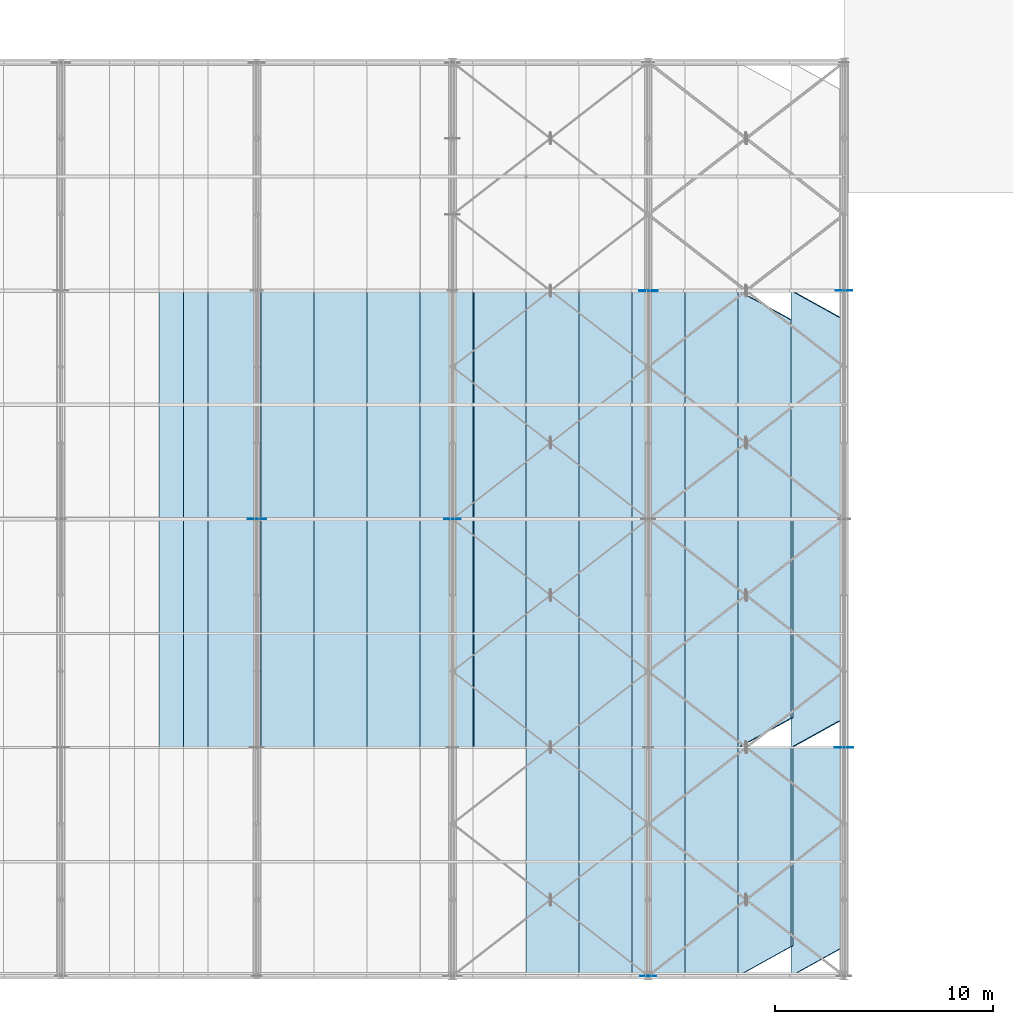
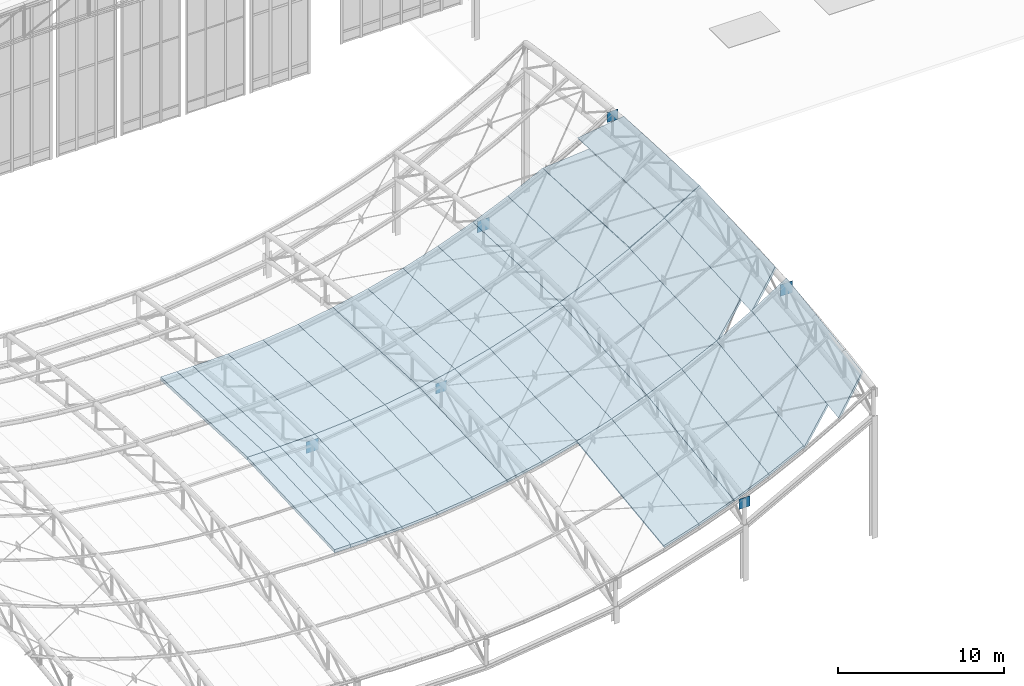
# One storey, part 218 of 262: 34 slabs, 6 plates.
"""IFC4 building model written with IfcOpenShell, lengths in metres."""

import ifcopenshell
import ifcopenshell.guid

model = None  # the IFC model being written
_history = None  # IfcOwnerHistory: only IFC2X3 demands one
_inside = {}  # id of a spatial element -> (the spatial element, [elements in it])
_under = {}  # id of a project, library or spatial element -> (it, [spatial elements below it])
_declared = {}  # id of a project -> (the project, [libraries it declares])
_typed = {}  # id of a type object -> (the type object, [elements of that type])
_made_of = {}  # id of a material, layer set ... -> (it, [elements and type objects made of it])


def new_model(schema):
    """Start an empty IFC model of exactly this schema.

    Asked for "IFC4X3", IfcOpenShell would pick the latest addendum, in which some entities
    have other attributes; the version numbers below select the first issue.
    IFC2X3 requires an IfcOwnerHistory on every rooted entity: one is made here for all.
    """
    global model, _history
    if schema == "IFC4X3":
        model = ifcopenshell.file(schema_version=(4, 3, 0, 0))
    else:
        model = ifcopenshell.file(schema=schema)
    _inside.clear()
    _under.clear()
    _declared.clear()
    _typed.clear()
    _made_of.clear()
    _history = None
    if model.schema == "IFC2X3":
        org = make("IfcOrganization", Name="unknown")
        user = make(
            "IfcPersonAndOrganization",
            ThePerson=make("IfcPerson", FamilyName="unknown"),
            TheOrganization=org,
        )
        app = make(
            "IfcApplication",
            ApplicationDeveloper=org,
            Version="unknown",
            ApplicationFullName="unknown",
            ApplicationIdentifier="unknown",
        )
        _history = make(
            "IfcOwnerHistory",
            OwningUser=user,
            OwningApplication=app,
            ChangeAction="ADDED",
            CreationDate=0,
        )
    return model


def make(cls, **values):
    """One entity of the class cls with the attributes given. An attribute that is None is left unset."""
    return model.create_entity(
        cls, **{name: value for name, value in values.items() if value is not None}
    )


def rooted(cls, **values):
    """An entity with a GlobalId (a new one), such as an element, a storey or a relation."""
    return make(cls, GlobalId=ifcopenshell.guid.new(), OwnerHistory=_history, **values)


def si_unit(unit_type, name, prefix=None):
    """IfcSIUnit, for example si_unit("LENGTHUNIT", "METRE", prefix="MILLI")."""
    return make("IfcSIUnit", UnitType=unit_type, Prefix=prefix, Name=name)


def derived_unit(unit_type, elements):
    """IfcDerivedUnit: a product of units, each with its exponent."""
    return make(
        "IfcDerivedUnit",
        Elements=[
            make("IfcDerivedUnitElement", Unit=unit, Exponent=power)
            for unit, power in elements
        ],
        UnitType=unit_type,
    )


def assignment(units):
    """IfcUnitAssignment: the units of a project."""
    return None if units is None else make("IfcUnitAssignment", Units=units)


def point(xyz):
    """IfcCartesianPoint."""
    return None if xyz is None else make("IfcCartesianPoint", Coordinates=xyz)


def direction(xyz):
    """IfcDirection."""
    return None if xyz is None else make("IfcDirection", DirectionRatios=xyz)


def frame(location, z_axis=None, x_axis=None):
    """IfcAxis2Placement3D, a coordinate frame: its origin and axes. An axis left out is left unset."""
    return make(
        "IfcAxis2Placement3D",
        Location=point(location),
        Axis=direction(z_axis),
        RefDirection=direction(x_axis),
    )


def frame_2d(location, x_axis=None):
    """IfcAxis2Placement2D, a coordinate frame in the plane: its origin and x axis."""
    return make(
        "IfcAxis2Placement2D", Location=point(location), RefDirection=direction(x_axis)
    )


def origin():
    """The frame at (0, 0, 0) with its axes left unset."""
    return frame((0.0, 0.0, 0.0))


def origin_2d():
    """The frame at (0, 0) in the plane with its x axis left unset."""
    return frame_2d((0.0, 0.0))


def place(relative_to, where):
    """IfcLocalPlacement: puts the frame where relative to a parent placement (None: the world)."""
    return make(
        "IfcLocalPlacement", PlacementRelTo=relative_to, RelativePlacement=where
    )


def context(
    kind, dimensions, precision=None, world=None, true_north=None, identifier=None
):
    """IfcGeometricRepresentationContext, for example the 3D "Model" context."""
    return make(
        "IfcGeometricRepresentationContext",
        ContextIdentifier=identifier,
        ContextType=kind,
        CoordinateSpaceDimension=dimensions,
        Precision=precision,
        WorldCoordinateSystem=world,
        TrueNorth=true_north,
    )


def subcontext(parent, identifier, kind, view, scale=None):
    """IfcGeometricRepresentationSubContext, for example "Body" below "Model"."""
    return make(
        "IfcGeometricRepresentationSubContext",
        ContextIdentifier=identifier,
        ContextType=kind,
        ParentContext=parent,
        TargetScale=scale,
        TargetView=view,
    )


def project(units=None, contexts=None):
    """IfcProject with its units and contexts."""
    return rooted(
        "IfcProject",
        Name="project",
        RepresentationContexts=contexts,
        UnitsInContext=assignment(units),
    )


def spatial(cls, under=None, at=None, **own):
    """A site, building, storey or space (cls), placed at a placement, below another one or the project."""
    s = rooted(cls, ObjectPlacement=at, **own)
    if under is not None:
        _under.setdefault(under.id(), (under, []))[1].append(s)
    return s


def polyline(points):
    """IfcPolyline through the points."""
    return make("IfcPolyline", Points=[point(p) for p in points])


def profile(cls, at=None, kind="AREA", **sizes):
    """A parametric profile (cls). Its sizes go by their IFC names, for example OverallWidth=200.0."""
    return make(cls, ProfileType=kind, Position=at, **sizes)


def rectangle(**sizes):
    """IfcRectangleProfileDef."""
    return profile("IfcRectangleProfileDef", **sizes)


def outline(outer, holes=None, kind="AREA"):
    """IfcArbitraryClosedProfileDef: a profile drawn as a closed curve; with holes, ...WithVoids."""
    if holes is None:
        return make("IfcArbitraryClosedProfileDef", ProfileType=kind, OuterCurve=outer)
    return make(
        "IfcArbitraryProfileDefWithVoids",
        ProfileType=kind,
        OuterCurve=outer,
        InnerCurves=holes,
    )


def extrude(swept, where, along, depth):
    """IfcExtrudedAreaSolid: the profile swept, set in the frame where, extruded along a direction by depth."""
    return make(
        "IfcExtrudedAreaSolid",
        SweptArea=swept,
        Position=where,
        ExtrudedDirection=direction(along),
        Depth=depth,
    )


def shape(context_of_items, identifier, shape_type, items):
    """IfcShapeRepresentation: the items that make up one representation, for example the "Body"."""
    return make(
        "IfcShapeRepresentation",
        ContextOfItems=context_of_items,
        RepresentationIdentifier=identifier,
        RepresentationType=shape_type,
        Items=items,
    )


def material(Name=None, Category=None):
    """IfcMaterial."""
    return make("IfcMaterial", Name=Name, Category=Category)


def layer(
    of_material, thickness, ventilated=None, Name=None, Category=None, Priority=None
):
    """IfcMaterialLayer: one layer of a wall or slab, of a material (None: an air gap)."""
    return make(
        "IfcMaterialLayer",
        Material=of_material,
        LayerThickness=thickness,
        IsVentilated=ventilated,
        Name=Name,
        Category=Category,
        Priority=Priority,
    )


def layer_set(layers, Name=None):
    """IfcMaterialLayerSet."""
    return make("IfcMaterialLayerSet", MaterialLayers=layers, LayerSetName=Name)


def made_of(thing, what):
    """Note that an element or type object is made of a material, layer set ...; save() writes the relation."""
    if what is not None:
        _made_of.setdefault(what.id(), (what, []))[1].append(thing)
    return thing


def type_object(cls, material=None, **own):
    """A type object (cls), such as IfcWallType, which elements share."""
    return made_of(rooted(cls, **own), material)


def element(
    cls,
    number,
    at=None,
    inside=None,
    cuts=None,
    type_object=None,
    material=None,
    context=None,
    identifier="Body",
    shape_type=None,
    held_by="IfcProductDefinitionShape",
    body=None,
    shapes=None,
    **own,
):
    """One element of the class cls, such as IfcWall. Its Tag is "e" and its number.

    at: its placement. inside: the storey or other place that contains it. cuts: it is an
    opening in that element (IfcRelVoidsElement). A single representation is given by context,
    identifier, shape_type and body (its items); several are given by shapes. held_by: the class
    of the entity that holds the representations. save() writes the other relations.
    """
    e = rooted(cls, Tag="e%d" % number, ObjectPlacement=at, **own)
    if body is not None:
        shapes = [shape(context, identifier, shape_type, body)]
    if shapes is not None:
        e.Representation = make(held_by, Representations=shapes)
    if inside is not None:
        _inside.setdefault(inside.id(), (inside, []))[1].append(e)
    if cuts is not None:
        rooted(
            "IfcRelVoidsElement", RelatingBuildingElement=cuts, RelatedOpeningElement=e
        )
    if type_object is not None:
        _typed.setdefault(type_object.id(), (type_object, []))[1].append(e)
    return made_of(e, material)


def aggregate(whole, parts):
    """IfcRelAggregates: a whole, such as a stair, and the parts it consists of."""
    return rooted("IfcRelAggregates", RelatingObject=whole, RelatedObjects=parts)


def save(model, path):
    """Write the relations noted so far, then the file.

    IfcRelAggregates (storeys below a building ...), IfcRelContainedInSpatialStructure (elements
    in a storey), IfcRelDefinesByType, IfcRelAssociatesMaterial and IfcRelDeclares: one each for
    every whole, place, type object, material and project.
    """
    for whole, parts in _under.values():
        aggregate(whole, parts)
    for where, things in _inside.values():
        rooted(
            "IfcRelContainedInSpatialStructure",
            RelatedElements=things,
            RelatingStructure=where,
        )
    for kind, things in _typed.values():
        rooted("IfcRelDefinesByType", RelatedObjects=things, RelatingType=kind)
    for what, things in _made_of.values():
        rooted("IfcRelAssociatesMaterial", RelatedObjects=things, RelatingMaterial=what)
    for by, libraries in _declared.values():
        rooted("IfcRelDeclares", RelatingContext=by, RelatedDefinitions=libraries)
    model.write(path)


model = new_model("IFC4")

# Units and contexts
model_context = context("Model", 3, precision=1e-05, world=origin(), true_north=direction((0.0, 1.0)))
body_context = subcontext(model_context, "Body", "Model", "MODEL_VIEW")
ifc_project = project(units=[si_unit("LENGTHUNIT", "METRE"), si_unit("AREAUNIT", "SQUARE_METRE"), si_unit("VOLUMEUNIT", "CUBIC_METRE"), si_unit("PLANEANGLEUNIT", "RADIAN"), si_unit("MASSUNIT", "GRAM", prefix="KILO"), derived_unit("THERMALTRANSMITTANCEUNIT", [(si_unit("POWERUNIT", "WATT"), 1), (si_unit("LENGTHUNIT", "METRE"), -2), (si_unit("THERMODYNAMICTEMPERATUREUNIT", "KELVIN"), -1)])], contexts=[model_context])

# Site, building, storey
site_placement = place(None, origin())
site = spatial("IfcSite", under=ifc_project, at=site_placement, CompositionType="ELEMENT")
building_placement = place(site_placement, origin())
building = spatial("IfcBuilding", under=site, at=building_placement, Name="Almenara Railside Exhibition Hall", CompositionType="ELEMENT")
storey_placement = place(building_placement, frame((0.0, 0.0, 21.699951171875)))
storey = spatial("IfcBuildingStorey", under=building, at=storey_placement, Name="RF", CompositionType="ELEMENT", Elevation=21.699951171875)

# Slabs
ifc_material_1 = material(Name="Planted green roof insulated steel S355JR deck", Category="steel")
ifc_layer_1 = layer(ifc_material_1, 0.2451171875, Name="Planted green roof insulated steel S355JR deck")
ifc_layer_set_1 = layer_set([ifc_layer_1], Name="Planted green roof insulated steel S355JR deck")
slab_type_1 = type_object("IfcSlabType", Name="Flat Planted Hall Roof Deck 245mm S355JR", PredefinedType="ROOF", material=ifc_layer_set_1)
for number, where, z_axis, x_axis, name in (
    (1, (34.5, 21.0, -5.85986328125), (0.0, -0.04283638843, 0.999082100644), (1.0, 0.0, 0.0), "V4 roof cassette RC-V4-15B"),
    (2, (34.5, 31.5, -6.31005859375), (0.0, 0.04283638843, 0.999082100644), (1.0, 0.0, 0.0), "V4 roof cassette RC-V4-15C"),
):
    element("IfcSlab", number, at=place(storey_placement, frame(where, z_axis=z_axis, x_axis=x_axis)), inside=storey, type_object=slab_type_1, Name=name, PredefinedType="ROOF", context=body_context, shape_type="SweptSolid", body=[
        extrude(outline(polyline([(0.0, 0.0), (1.1298828125, 0.0), (1.1298828125, -10.509646798032604), (0.0, -10.509646798032604), (0.0, 0.0)])), origin(), (0.0, 0.0, -1.0), 0.2451171875),
    ])
for number, where, z_axis, x_axis, name in (
    (3, (35.6298828125, 21.0, -5.85986328125), (0.0, -0.04283638843, 0.999082100644), (1.0, 0.0, 0.0), "V4 roof cassette RC-V4-16B"),
    (4, (35.6298828125, 31.5, -6.31005859375), (0.0, 0.04283638843, 0.999082100644), (1.0, 0.0, 0.0), "V4 roof cassette RC-V4-16C"),
):
    element("IfcSlab", number, at=place(storey_placement, frame(where, z_axis=z_axis, x_axis=x_axis)), inside=storey, type_object=slab_type_1, Name=name, PredefinedType="ROOF", context=body_context, shape_type="SweptSolid", body=[
        extrude(outline(polyline([(0.0, 0.0), (1.129638671875, 0.0), (1.129638671875, -10.509646798032604), (0.0, -10.509646798032604), (0.0, 0.0)])), origin(), (0.0, 0.0, -1.0), 0.2451171875),
    ])
ifc_material_2 = material(Name="White standing-seam insulated steel S355JR roof deck", Category="steel")
ifc_layer_2 = layer(ifc_material_2, 0.195068359375, Name="White standing-seam insulated steel S355JR roof deck")
ifc_layer_set_2 = layer_set([ifc_layer_2], Name="White standing-seam insulated steel S355JR roof deck")
slab_type_2 = type_object("IfcSlabType", Name="Scroll Standing-Seam Insulated Roof Cassette 195mm S355JR", PredefinedType="ROOF", material=ifc_layer_set_2)
slab_1_placement = place(storey_placement, frame((36.759521484375, 21.0, -5.85986328125), z_axis=(-0.023416602163, -0.042824642425, 0.998808146114), x_axis=(0.999725289903, 0.0, 0.023438104182)))
element("IfcSlab", 5, at=slab_1_placement, inside=storey, type_object=slab_type_2, Name="V4 roof cassette RC-V4-17B", PredefinedType="ROOF", context=body_context, shape_type="SweptSolid", body=[
    extrude(outline(polyline([(0.0, 0.0), (2.437437166724611, -4.336808689942018e-19), (2.4268854420881305, -10.509641501045799), (-0.010551724636480768, -10.509641501045799), (0.0, 0.0)])), origin(), (0.0, 0.0, -1.0), 0.195068359375),
])
slab_2_placement = place(storey_placement, frame((36.759521484375, 31.5, -6.31005859375), z_axis=(-0.023416602163, 0.042824642425, 0.998808146114), x_axis=(0.999725289903, 0.0, 0.023438104182)))
element("IfcSlab", 6, at=slab_2_placement, inside=storey, type_object=slab_type_2, Name="V4 roof cassette RC-V4-17C", PredefinedType="ROOF", context=body_context, shape_type="SweptSolid", body=[
    extrude(outline(polyline([(0.0, 0.0), (2.437437166724611, 4.336808689942018e-19), (2.4479888913610917, -10.5096415010458), (0.010551724636480768, -10.509641501045799), (0.0, 0.0)])), origin(), (0.0, 0.0, -1.0), 0.195068359375),
])
slab_3_placement = place(storey_placement, frame((39.1962890625, 21.0, -5.802734375), z_axis=(-0.070245303993, -0.042719006608, 0.996614611443), x_axis=(0.997525232113, -2.127501e-06, 0.070309396913)))
element("IfcSlab", 7, at=slab_3_placement, inside=storey, type_object=slab_type_2, Name="V4 roof cassette RC-V4-18B", PredefinedType="ROOF", context=body_context, shape_type="SweptSolid", body=[
    extrude(outline(polyline([(0.0, 0.0), (2.4428044061878023, 1.734723475976807e-18), (2.411190949412615, -10.509588794601905), (-0.031630622155292984, -10.509599198272909), (0.0, 0.0)])), origin(), (0.0, 0.0, -1.0), 0.195068359375),
])
slab_4_placement = place(storey_placement, frame((39.1962890625, 31.5, -6.2529296875), z_axis=(-0.070245303993, 0.042719006608, 0.996614611443), x_axis=(0.997525219321, -2.127486e-06, 0.070309578398)))
element("IfcSlab", 8, at=slab_4_placement, inside=storey, type_object=slab_type_2, Name="V4 roof cassette RC-V4-18C", PredefinedType="ROOF", context=body_context, shape_type="SweptSolid", body=[
    extrude(outline(polyline([(0.0, 0.0), (2.442821571590062, -8.673617379884035e-19), (2.474479787386853, -10.509588659868843), (0.031675381221204855, -10.509599063466743), (0.0, 0.0)])), origin(), (0.0, 0.0, -1.0), 0.195068359375),
])
slab_5_placement = place(storey_placement, frame((41.633056640625, 21.0, -5.631103515625), z_axis=(-0.117116289315, -0.042518569326, 0.992207612367), x_axis=(0.993105700961, 0.0, 0.117222296166)))
element("IfcSlab", 9, at=slab_5_placement, inside=storey, type_object=slab_type_2, Name="V4 roof cassette RC-V4-19B", PredefinedType="ROOF", context=body_context, shape_type="SweptSolid", body=[
    extrude(outline(polyline([(0.0, 0.0), (2.4534381739443343, 0.0), (2.400693864414761, -10.509503989003665), (-0.05274430952957324, -10.509503989003665), (0.0, 0.0)])), origin(), (0.0, 0.0, -1.0), 0.195068359375),
])
slab_6_placement = place(storey_placement, frame((41.633056640625, 31.5, -6.0810546875), z_axis=(-0.117116289315, 0.042518569326, 0.992207612367), x_axis=(0.993105700961, 0.0, 0.117222296166)))
element("IfcSlab", 10, at=slab_6_placement, inside=storey, type_object=slab_type_2, Name="V4 roof cassette RC-V4-19C", PredefinedType="ROOF", context=body_context, shape_type="SweptSolid", body=[
    extrude(outline(polyline([(0.0, 0.0), (2.4534381739443343, 0.0), (2.5061824834739075, -10.509503989003665), (0.05274430952957324, -10.509503989003665), (0.0, 0.0)])), origin(), (0.0, 0.0, -1.0), 0.195068359375),
])
slab_7_placement = place(storey_placement, frame((44.069580078125, 21.0, -5.343505859375), z_axis=(-0.163867900327, -0.042245901566, 0.985577290243), x_axis=(0.986457942831, 2.05753e-06, 0.16401441102)))
element("IfcSlab", 11, at=slab_7_placement, inside=storey, type_object=slab_type_2, Name="V4 roof cassette RC-V4-20B", PredefinedType="ROOF", context=body_context, shape_type="SweptSolid", body=[
    extrude(outline(polyline([(0.0, 0.0), (2.4702394164270425, 0.0), (2.3963792933330916, -10.509387255551063), (-0.07382008051313553, -10.509377081364542), (0.0, 0.0)])), origin(), (0.0, 0.0, -1.0), 0.195068359375),
])
slab_8_placement = place(storey_placement, frame((44.069580078125, 31.5, -5.79345703125), z_axis=(-0.163867900327, 0.042245901566, 0.985577290243), x_axis=(0.986457971369, 2.057564e-06, 0.164014239375)))
element("IfcSlab", 12, at=slab_8_placement, inside=storey, type_object=slab_type_2, Name="V4 roof cassette RC-V4-20C", PredefinedType="ROOF", context=body_context, shape_type="SweptSolid", body=[
    extrude(outline(polyline([(0.0, 0.0), (2.470199373867179, 3.469446951953614e-18), (2.544016211196898, -10.509387559674884), (0.07377679479080866, -10.509377385323436), (0.0, 0.0)])), origin(), (0.0, 0.0, -1.0), 0.195068359375),
])
slab_9_placement = place(storey_placement, frame((46.50634765625, 21.0, -4.938232421875), z_axis=(-0.210721791864, -0.041863209883, 0.976649270768), x_axis=(0.977506217732, -2.002125e-06, 0.210906600874)))
element("IfcSlab", 13, at=slab_9_placement, inside=storey, type_object=slab_type_2, Name="V4 roof cassette RC-V4-21B", PredefinedType="ROOF", context=body_context, shape_type="SweptSolid", body=[
    extrude(outline(polyline([(0.0, 0.0), (2.492815300502917, 0.0), (2.3979386505922258, -10.509208079782228), (-0.09492814078004512, -10.509218070497521), (0.0, 0.0)])), origin(), (0.0, 0.0, -1.0), 0.195068359375),
])
slab_10_placement = place(storey_placement, frame((46.50634765625, 31.5, -5.388427734375), z_axis=(-0.210721791864, 0.041863209883, 0.976649270768), x_axis=(0.977506182346, -2.002083e-06, 0.210906764876)))
element("IfcSlab", 14, at=slab_10_placement, inside=storey, type_object=slab_type_2, Name="V4 roof cassette RC-V4-21C", PredefinedType="ROOF", context=body_context, shape_type="SweptSolid", body=[
    extrude(outline(polyline([(0.0, 0.0), (2.4928667913922906, 0.0), (2.587785559279104, -10.50920769945866), (0.09497025879620731, -10.509217689967594), (0.0, 0.0)])), origin(), (0.0, 0.0, -1.0), 0.195068359375),
])
slab_11_placement = place(storey_placement, frame((48.943115234375, 21.0, -4.41259765625), z_axis=(-0.257568495916, -0.041368685302, 0.965374073501), x_axis=(0.966201190487, 0.0, 0.257789176462)))
element("IfcSlab", 15, at=slab_11_placement, inside=storey, type_object=slab_type_2, Name="V4 roof cassette RC-V4-22B", PredefinedType="ROOF", context=body_context, shape_type="SweptSolid", body=[
    extrude(outline(polyline([(0.0, 0.0), (2.522008461711885, -6.938893903907228e-18), (2.4060159196660997, -10.508996231194558), (-0.11599254204578552, -10.508996231194558), (0.0, 0.0)])), origin(), (0.0, 0.0, -1.0), 0.195068359375),
])
slab_12_placement = place(storey_placement, frame((48.943115234375, 31.5, -4.862548828125), z_axis=(-0.257568495916, 0.041368685302, 0.965374073501), x_axis=(0.966201190487, 0.0, 0.257789176462)))
element("IfcSlab", 16, at=slab_12_placement, inside=storey, type_object=slab_type_2, Name="V4 roof cassette RC-V4-22C", PredefinedType="ROOF", context=body_context, shape_type="SweptSolid", body=[
    extrude(outline(polyline([(0.0, 0.0), (2.522008461711885, 6.938893903907228e-18), (2.638001003757671, -10.508996231194558), (0.11599254204578552, -10.508996231194558), (0.0, 0.0)])), origin(), (0.0, 0.0, -1.0), 0.195068359375),
])
slab_13_placement = place(storey_placement, frame((51.3798828125, 10.5, -4.21240234375), z_axis=(-0.30242144949, -0.121548286633, 0.945392659642), x_axis=(0.952454410984, 5.483256e-06, 0.304681136547)))
element("IfcSlab", 17, at=slab_13_placement, inside=storey, type_object=slab_type_2, Name="V4 roof cassette RC-V4-23A", PredefinedType="ROOF", context=body_context, shape_type="SweptSolid", body=[
    extrude(outline(polyline([(0.0, 0.0), (2.558188938137741, 0.0), (2.1467820755961364, -10.578445446356815), (-0.4113324774985022, -10.57841718279639), (0.0, 0.0)])), origin(), (0.0, 0.0, -1.0), 0.195068359375),
])
slab_14_placement = place(storey_placement, frame((51.3798828125, 21.0, -3.762451171875), z_axis=(-0.304470293691, -0.040780508528, 0.951648459455), x_axis=(0.952440767254, 0.0, 0.304723784553)))
element("IfcSlab", 18, at=slab_14_placement, inside=storey, type_object=slab_type_2, Name="V4 roof cassette RC-V4-23B", PredefinedType="ROOF", context=body_context, shape_type="SweptSolid", body=[
    extrude(outline(polyline([(0.0, 0.0), (2.558188940740788, -3.469446951953614e-18), (2.4210781167828332, -10.508741917043416), (-0.1371108239579546, -10.508741917043414), (0.0, 0.0)])), origin(), (0.0, 0.0, -1.0), 0.195068359375),
])
slab_15_placement = place(storey_placement, frame((51.3798828125, 31.5, -4.21240234375), z_axis=(-0.304470293691, 0.040780508528, 0.951648459455), x_axis=(0.952440767254, 0.0, 0.304723784553)))
element("IfcSlab", 19, at=slab_15_placement, inside=storey, type_object=slab_type_2, Name="V4 roof cassette RC-V4-23C", PredefinedType="ROOF", context=body_context, shape_type="SweptSolid", body=[
    extrude(outline(polyline([(0.0, 0.0), (2.558188940740788, 3.469446951953614e-18), (2.6952997646987424, -10.508741917043414), (0.1371108239579546, -10.508741917043414), (0.0, 0.0)])), origin(), (0.0, 0.0, -1.0), 0.195068359375),
])
slab_16_placement = place(storey_placement, frame((53.81640625, 10.5, -3.432861328125), z_axis=(-0.349025284614, -0.119510825866, 0.929461410281), x_axis=(0.936171044044, 0.0, 0.351544842508)))
element("IfcSlab", 20, at=slab_16_placement, inside=storey, type_object=slab_type_2, Name="V4 roof cassette RC-V4-24A", PredefinedType="ROOF", context=body_context, shape_type="SweptSolid", body=[
    extrude(outline(polyline([(0.0, 0.0), (2.602908510820551, 0.0), (2.1282886428832803, -10.57579782628105), (-0.4746198679372705, -10.57579782628105), (0.0, 0.0)])), origin(), (0.0, 0.0, -1.0), 0.195068359375),
])
slab_17_placement = place(storey_placement, frame((53.81640625, 21.0, -2.98291015625), z_axis=(-0.351262296294, -0.040085019357, 0.935418617746), x_axis=(0.936171044044, 0.0, 0.351544842508)))
element("IfcSlab", 21, at=slab_17_placement, inside=storey, type_object=slab_type_2, Name="V4 roof cassette RC-V4-24B", PredefinedType="ROOF", context=body_context, shape_type="SweptSolid", body=[
    extrude(outline(polyline([(0.0, 0.0), (2.602908510820551, 6.938893903907228e-18), (2.4447304969673156, -10.508445925683072), (-0.15817801385323502, -10.508445925683073), (0.0, 0.0)])), origin(), (0.0, 0.0, -1.0), 0.195068359375),
])
slab_18_placement = place(storey_placement, frame((53.81640625, 31.5, -3.432861328125), z_axis=(-0.351262296294, 0.040085019357, 0.935418617746), x_axis=(0.936171044044, 0.0, 0.351544842508)))
element("IfcSlab", 22, at=slab_18_placement, inside=storey, type_object=slab_type_2, Name="V4 roof cassette RC-V4-24C", PredefinedType="ROOF", context=body_context, shape_type="SweptSolid", body=[
    extrude(outline(polyline([(0.0, 0.0), (2.602908510820551, -6.938893903907228e-18), (2.761086524673786, -10.508445925683073), (0.15817801385323502, -10.508445925683073), (0.0, 0.0)])), origin(), (0.0, 0.0, -1.0), 0.195068359375),
])
slab_19_placement = place(storey_placement, frame((56.253173828125, 10.5, -2.517822265625), z_axis=(-0.395708270549, -0.117121275586, 0.910877363548), x_axis=(0.917189812532, 0.0, 0.398450558775)))
element("IfcSlab", 23, at=slab_19_placement, inside=storey, type_object=slab_type_2, Name="V4 roof cassette RC-V4-25A", PredefinedType="ROOF", context=body_context, shape_type="SweptSolid", body=[
    extrude(outline(polyline([(0.0, 0.0), (2.656775669366957, 0.0), (2.118828503832863, -10.572765793703445), (-0.5379471655340936, -10.572765793703445), (0.0, 0.0)])), origin(), (0.0, 0.0, -1.0), 0.195068359375),
])
slab_20_placement = place(storey_placement, frame((56.253173828125, 21.0, -2.06787109375), z_axis=(-0.398143152839, -0.039273546551, 0.91648219753), x_axis=(0.917189812532, 0.0, 0.398450558775)))
element("IfcSlab", 24, at=slab_20_placement, inside=storey, type_object=slab_type_2, Name="V4 roof cassette RC-V4-25B", PredefinedType="ROOF", context=body_context, shape_type="SweptSolid", body=[
    extrude(outline(polyline([(0.0, 0.0), (2.656775669366957, -6.938893903907228e-18), (2.4774923735117427, -10.508107039657476), (-0.17928329585521421, -10.508107039657475), (0.0, 0.0)])), origin(), (0.0, 0.0, -1.0), 0.195068359375),
])
slab_21_placement = place(storey_placement, frame((56.253173828125, 31.5, -2.517822265625), z_axis=(-0.398143152839, 0.039273546551, 0.91648219753), x_axis=(0.917189812532, 0.0, 0.398450558775)))
element("IfcSlab", 25, at=slab_21_placement, inside=storey, type_object=slab_type_2, Name="V4 roof cassette RC-V4-25C", PredefinedType="ROOF", context=body_context, shape_type="SweptSolid", body=[
    extrude(outline(polyline([(0.0, 0.0), (2.656775669366957, 6.938893903907228e-18), (2.836058965222171, -10.508107039657475), (0.17928329585521421, -10.508107039657475), (0.0, 0.0)])), origin(), (0.0, 0.0, -1.0), 0.195068359375),
])
slab_22_placement = place(storey_placement, frame((58.68994140625, 10.5, -1.459228515625), z_axis=(-0.442388609111, -0.114372628726, 0.889500545434), x_axis=(0.895376074457, 0.0, 0.445310773831)))
element("IfcSlab", 26, at=slab_22_placement, inside=storey, type_object=slab_type_2, Name="V4 roof cassette RC-V4-26A", PredefinedType="ROOF", context=body_context, shape_type="SweptSolid", body=[
    extrude(outline(polyline([(0.0, 0.0), (2.721501777454211, 0.0), (2.1202887454023904, -10.569356961116547), (-0.6012130320518209, -10.569356961116545), (0.0, 0.0)])), origin(), (0.0, 0.0, -1.0), 0.195068359375),
])
slab_23_placement = place(storey_placement, frame((58.68994140625, 21.0, -1.00927734375), z_axis=(-0.444983344821, -0.038340884461, 0.894717720519), x_axis=(0.895376074457, 0.0, 0.445310773831)))
element("IfcSlab", 27, at=slab_23_placement, inside=storey, type_object=slab_type_2, Name="V4 roof cassette RC-V4-26B", PredefinedType="ROOF", context=body_context, shape_type="SweptSolid", body=[
    extrude(outline(polyline([(0.0, 0.0), (2.721501777454211, 0.0), (2.521133672920485, -10.507726142213512), (-0.2003681045337262, -10.507726142213512), (0.0, 0.0)])), origin(), (0.0, 0.0, -1.0), 0.195068359375),
])
slab_24_placement = place(storey_placement, frame((58.68994140625, 31.5, -1.459228515625), z_axis=(-0.444983344821, 0.038340884461, 0.894717720519), x_axis=(0.895376074457, 0.0, 0.445310773831)))
element("IfcSlab", 28, at=slab_24_placement, inside=storey, type_object=slab_type_2, Name="V4 roof cassette RC-V4-26C", PredefinedType="ROOF", context=body_context, shape_type="SweptSolid", body=[
    extrude(outline(polyline([(0.0, 0.0), (2.721501777454211, 0.0), (2.9218698819879374, -10.507726142213512), (0.2003681045337262, -10.507726142213512), (0.0, 0.0)])), origin(), (0.0, 0.0, -1.0), 0.195068359375),
])
ifc_layer_3 = layer(ifc_material_2, 0.179931640625, Name="White standing-seam insulated steel S355JR roof deck")
ifc_layer_set_3 = layer_set([ifc_layer_3], Name="White standing-seam insulated steel S355JR roof deck")
slab_type_3 = type_object("IfcSlabType", Name="Scroll Tip Standing-Seam Cassette 180mm S355JR", PredefinedType="ROOF", material=ifc_layer_set_3)
slab_25_placement = place(storey_placement, frame((61.126708984375, 10.5, -0.247314453125), z_axis=(-0.488224411481, -0.127382871648, 0.86337160484), x_axis=(0.870463057431, -5.262693e-06, 0.492233750996)))
element("IfcSlab", 29, at=slab_25_placement, inside=storey, type_object=slab_type_3, Name="V4 roof cassette RC-V4-27A", PredefinedType="ROOF", context=body_context, shape_type="SweptSolid", body=[
    extrude(outline(polyline([(0.0, 0.0), (2.799046965340619, 2.7755575615628914e-17), (2.1346516591775053, -9.225041803568308), (-0.7625705678503145, -10.586258425069328), (0.0, 0.0)])), origin(), (0.0, 0.0, -1.0), 0.179931640625),
])
slab_26_placement = place(storey_placement, frame((61.126708984375, 21.0, 0.20263671875), z_axis=(-0.491749563654, -0.042767886738, 0.869685733188), x_axis=(0.870482195512, -8.9725e-08, 0.492199905827)))
element("IfcSlab", 30, at=slab_26_placement, inside=storey, type_object=slab_type_3, Name="V4 roof cassette RC-V4-27B", PredefinedType="ROOF", context=body_context, shape_type="SweptSolid", body=[
    extrude(outline(polyline([(0.0, 0.0), (2.799046967723229, 0.0), (2.577581864277181, -9.158281616392596), (-0.2541501323044786, -10.509616201238774), (0.0, 0.0)])), origin(), (0.0, 0.0, -1.0), 0.179931640625),
])
slab_27_placement = place(storey_placement, frame((61.126708984375, 31.5, -0.247314453125), z_axis=(-0.473463315013, 0.043262830763, 0.879750428708), x_axis=(0.784043870477, -0.434444731891, 0.443320407944)))
element("IfcSlab", 31, at=slab_27_placement, inside=storey, type_object=slab_type_3, Name="V4 roof cassette RC-V4-27C", PredefinedType="ROOF", context=body_context, shape_type="SweptSolid", body=[
    extrude(outline(polyline([(0.0, 0.0), (3.107640199400751, -5.551115123125783e-17), (7.282239607029029, -8.154501133915415), (4.790581467764282, -9.357721634447326), (0.0, 0.0)])), origin(), (0.0, 0.0, -1.0), 0.179931640625),
])
slab_28_placement = place(storey_placement, frame((63.563232421875, 10.5, 1.13037109375), z_axis=(-0.53495420898, -0.123309579405, 0.835834159341), x_axis=(0.842262139689, -7.21635e-07, 0.539068166419)))
element("IfcSlab", 32, at=slab_28_placement, inside=storey, type_object=slab_type_3, Name="V4 roof cassette RC-V4-28A", PredefinedType="ROOF", context=body_context, shape_type="SweptSolid", body=[
    extrude(outline(polyline([(0.0, 0.0), (2.8931117830367117, 0.0), (2.1654553263283027, -9.220267539205727), (-0.8350479687088785, -10.580752325510558), (0.0, 0.0)])), origin(), (0.0, 0.0, -1.0), 0.179931640625),
])
slab_29_placement = place(storey_placement, frame((63.563232421875, 21.0, 1.580322265625), z_axis=(-0.538630761283, -0.04139347828, 0.84152449932), x_axis=(0.84224633631, 1.489368e-06, 0.539092857465)))
element("IfcSlab", 33, at=slab_29_placement, inside=storey, type_object=slab_type_3, Name="V4 roof cassette RC-V4-28B", PredefinedType="ROOF", context=body_context, shape_type="SweptSolid", body=[
    extrude(outline(polyline([(0.0, 0.0), (2.893243395765693, 1.3877787807814457e-17), (2.650532690763371, -9.157755195592365), (-0.27838023639309367, -10.50900230375244), (0.0, 0.0)])), origin(), (0.0, 0.0, -1.0), 0.179931640625),
])
slab_30_placement = place(storey_placement, frame((63.563232421875, 31.5, 1.13037109375), z_axis=(-0.522047623859, 0.041903165463, 0.851886379247), x_axis=(0.763231496762, -0.422878635813, 0.48851954078)))
element("IfcSlab", 34, at=slab_30_placement, inside=storey, type_object=slab_type_3, Name="V4 roof cassette RC-V4-28C", PredefinedType="ROOF", context=body_context, shape_type="SweptSolid", body=[
    extrude(outline(polyline([(0.0, 0.0), (3.1926257938785634, 5.551115123125783e-17), (7.2818532221454175, -8.197658674790214), (4.6924763666444855, -9.407299853013235), (0.0, 0.0)])), origin(), (0.0, 0.0, -1.0), 0.179931640625),
])

# Plates
ifc_material_3 = material(Name="Structural steel S355JR", Category="steel")
ifc_layer_4 = layer(ifc_material_3, 0.02392578125, Name="Structural steel S355JR")
ifc_layer_set_4 = layer_set([ifc_layer_4], Name="Structural steel S355JR")
plate_type_1 = type_object("IfcPlateType", Name="Truss Node Gusset Plate 24mm S355JR", PredefinedType="USERDEFINED", material=ifc_layer_set_4)
for number, where, z_axis, x_axis, name in (
    (35, (48.0, 21.0, -5.795654296875), (0.0, 0.0, 1.0), (1.0, 0.0, 0.0), "PLT-GUS-0252"),
    (36, (57.0, 0.0, -4.72412109375), (0.0, 0.0, 1.0), (1.0, 0.0, 0.0), "PLT-GUS-0260"),
    (37, (66.0, 31.5, 1.525146484375), (0.0, 0.0, 1.0), (1.0, 0.0, 0.0), "PLT-GUS-0268"),
):
    element("IfcPlate", number, at=place(storey_placement, frame(where, z_axis=z_axis, x_axis=x_axis)), inside=storey, type_object=plate_type_1, Name=name, ObjectType="GUSSET_PLATE", PredefinedType="USERDEFINED", context=body_context, shape_type="SweptSolid", body=[
        extrude(rectangle(XDim=0.75, YDim=0.02392578125, at=origin_2d()), origin(), (0.0, 0.0, 1.0), 0.75),
    ])
ifc_layer_5 = layer(ifc_material_3, 0.028076171875, Name="Structural steel S355JR")
ifc_layer_set_5 = layer_set([ifc_layer_5], Name="Structural steel S355JR")
plate_type_2 = type_object("IfcPlateType", Name="Truss Node Gusset Plate 28mm S355JR", PredefinedType="USERDEFINED", material=ifc_layer_set_5)
for number, where, z_axis, x_axis, name in (
    (38, (39.0, 21.0, -7.026611328125), (0.0, 0.0, 1.0), (1.0, 0.0, 0.0), "PLT-GUS-0247"),
    (39, (57.0, 31.5, -3.424072265625), (0.0, 0.0, 1.0), (1.0, 0.0, 0.0), "PLT-GUS-0263"),
    (40, (66.0, 10.5, 1.47509765625), (0.0, 0.0, 1.0), (1.0, 0.0, 0.0), "PLT-GUS-0266"),
):
    element("IfcPlate", number, at=place(storey_placement, frame(where, z_axis=z_axis, x_axis=x_axis)), inside=storey, type_object=plate_type_2, Name=name, ObjectType="GUSSET_PLATE", PredefinedType="USERDEFINED", context=body_context, shape_type="SweptSolid", body=[
        extrude(rectangle(XDim=0.85009765625, YDim=0.028076171875, at=origin_2d()), origin(), (0.0, 0.0, 1.0), 0.85009765625),
    ])

save(model, "model.ifc")
